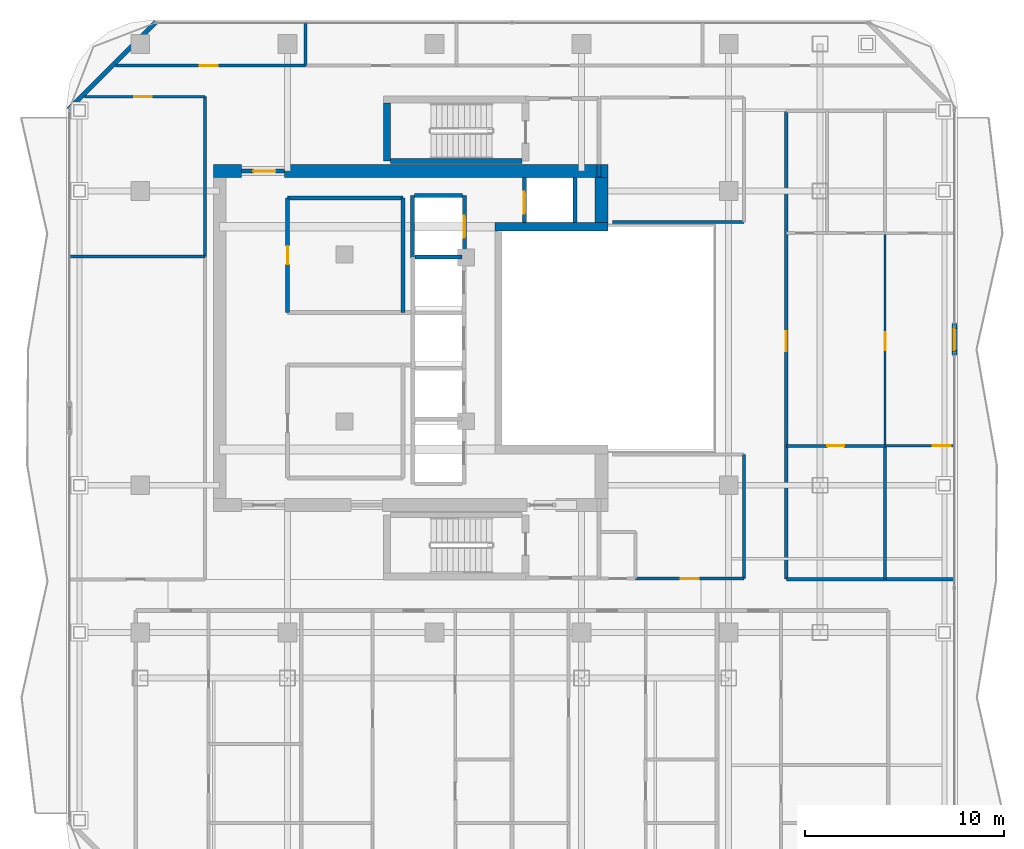
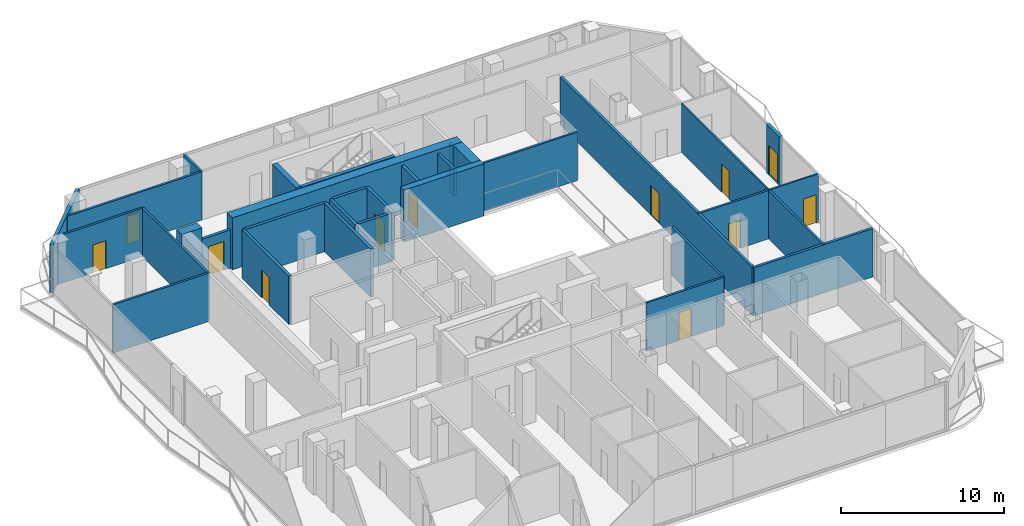
# One storey, part 22 of 26: 33 walls, 12 doors, 12 openings.
"""IFC4 building model written with IfcOpenShell, lengths in metres."""

from ifc_helpers import new_model, si_unit, direction, frame, frame_2d, origin, place, context, subcontext, project, spatial, rectangle, extrude, material, layer, layer_set, type_object, element, fill, save


model = new_model("IFC4")

# Units and contexts
model_context = context("Model", 3, precision=1e-05, world=origin(), true_north=direction((0.0, 1.0)))
body_context = subcontext(model_context, "Body", "Model", "MODEL_VIEW")
ifc_project = project(units=[si_unit("LENGTHUNIT", "METRE"), si_unit("AREAUNIT", "SQUARE_METRE"), si_unit("VOLUMEUNIT", "CUBIC_METRE"), si_unit("PLANEANGLEUNIT", "RADIAN"), si_unit("MASSUNIT", "GRAM", prefix="KILO")], contexts=[model_context])

# Site, building, storey
site_placement = place(None, origin())
site = spatial("IfcSite", under=ifc_project, at=site_placement, CompositionType="ELEMENT")
building_placement = place(site_placement, origin())
building = spatial("IfcBuilding", under=site, at=building_placement, Name="Khorvyn Point Tower", CompositionType="ELEMENT")
storey_placement = place(building_placement, frame((0.0, 0.0, 250.800048828125)))
storey = spatial("IfcBuildingStorey", under=building, at=storey_placement, Name="L61", CompositionType="ELEMENT", Elevation=250.800048828125)

# Wall, opening, door
ifc_material_1 = material(Name="Double acoustic gypsum on twin steel stud", Category="steel")
ifc_layer_1 = layer(ifc_material_1, 0.179931640625)
ifc_layer_set_1 = layer_set([ifc_layer_1], Name="Acoustic Double-Stud Apartment Demising Wall 180")
wall_type_1 = type_object("IfcWallType", Name="Acoustic Double-Stud Apartment Demising Wall 180", PredefinedType="PARTITIONING", material=ifc_layer_set_1)
wall_1_placement = place(storey_placement, frame((17.699951171875, -12.1201171875, 0.0), z_axis=(0.0, 0.0, 1.0), x_axis=(0.0, 1.0, 0.0)))
wall_1 = element("IfcWall", 1, at=wall_1_placement, inside=storey, type_object=wall_type_1, Name="Wall", PredefinedType="PARTITIONING", context=body_context, shape_type="SweptSolid", body=[
    extrude(rectangle(XDim=23.550048828125, YDim=0.179931640625, at=frame_2d((11.77490234375, 0.0))), origin(), (0.0, 0.0, 1.0), 3.619873046875),
])
opening_1_placement = place(wall_1_placement, frame((11.454345703125, 0.0, 0.0)))
opening_1 = element("IfcOpeningElement", 2, at=opening_1_placement, cuts=wall_1, Name="Opening ID-AP60", PredefinedType="OPENING", context=body_context, shape_type="SweptSolid", body=[
    extrude(rectangle(XDim=1.0, YDim=2.199951171875, at=frame_2d((0.5, 1.10009765625))), frame((0.0, 0.099853515625, 0.0), z_axis=(0.0, -1.0, 0.0), x_axis=(1.0, 0.0, 0.0)), (0.0, 0.0, 1.0), 0.199951171875),
])
ifc_material_2 = material(Name="Engineered hardwood fire-rated leaf", Category="wood")
door_type_1 = type_object("IfcDoorType", Name="Acoustic Solid-Core Timber Apartment Entrance Door 1000x2200", OperationType="NOTDEFINED", PredefinedType="DOOR", material=ifc_material_2)
door_1_placement = place(opening_1_placement, origin())
door_1 = element("IfcDoor", 3, at=door_1_placement, inside=storey, type_object=door_type_1, Name="Door", OperationType="SINGLE_SWING_RIGHT", OverallHeight=2.199951171875, OverallWidth=1.0, PredefinedType="DOOR", context=body_context, shape_type="SweptSolid", body=[
    extrude(rectangle(XDim=1.0, YDim=2.199951171875, at=frame_2d((0.5, 1.10009765625))), frame((0.0, 0.02490234375, 0.0), z_axis=(0.0, -1.0, 0.0), x_axis=(1.0, 0.0, 0.0)), (0.0, 0.0, 1.0), 0.050048828125),
])
fill(opening_1, door_1)

# Wall
wall_2_placement = place(storey_placement, frame((17.699951171875, -12.1201171875, 0.0), z_axis=(0.0, 0.0, 1.0), x_axis=(1.0, 0.0, 0.0)))
element("IfcWall", 4, at=wall_2_placement, inside=storey, type_object=wall_type_1, Name="Wall", PredefinedType="PARTITIONING", context=body_context, shape_type="SweptSolid", body=[
    extrude(rectangle(XDim=8.429931640625, YDim=0.179931640625, at=frame_2d((4.21484375, 0.0))), origin(), (0.0, 0.0, 1.0), 3.619873046875),
])

# Wall, opening, door
ifc_material_3 = material(Name="Pale anodised aluminium rainscreen on steel stud", Category="steel")
ifc_layer_2 = layer(ifc_material_3, 0.239990234375)
ifc_layer_set_2 = layer_set([ifc_layer_2], Name="Anodised Aluminium Insulated Corner Spandrel Wall 240")
wall_type_2 = type_object("IfcWallType", Name="Anodised Aluminium Insulated Corner Spandrel Wall 240", PredefinedType="SOLIDWALL", material=ifc_layer_set_2)
wall_3_placement = place(storey_placement, frame((26.14990234375, 0.722900390625, 0.0), z_axis=(0.0, 0.0, 1.0), x_axis=(0.0, -1.0, 0.0)))
wall_3 = element("IfcWall", 5, at=wall_3_placement, inside=storey, type_object=wall_type_2, Name="L61 East Outdoor Threshold Wall", PredefinedType="SOLIDWALL", context=body_context, shape_type="SweptSolid", body=[
    extrude(rectangle(XDim=1.579833984375, YDim=0.239990234375, at=frame_2d((0.7900390625, 0.0))), origin(), (0.0, 0.0, 1.0), 3.619873046875),
])
opening_2_placement = place(wall_3_placement, frame((0.239990234375, 0.0, 0.0)))
opening_2 = element("IfcOpeningElement", 6, at=opening_2_placement, cuts=wall_3, Name="Opening BD-1122", PredefinedType="OPENING", context=body_context, shape_type="SweptSolid", body=[
    extrude(rectangle(XDim=1.10009765625, YDim=2.199951171875, at=frame_2d((0.550048828125, 1.10009765625))), frame((0.0, 0.1298828125, 0.0), z_axis=(0.0, -1.0, 0.0), x_axis=(1.0, 0.0, 0.0)), (0.0, 0.0, 1.0), 0.260009765625),
])
ifc_material_4 = material(Name="Anodised aluminium 6063-T6 and laminated Low-E glass", Category="aluminium")
door_type_2 = type_object("IfcDoorType", Name="Glazed Balcony and Terrace Threshold Door 1100x2200", OperationType="NOTDEFINED", PredefinedType="DOOR", material=ifc_material_4)
door_2_placement = place(opening_2_placement, origin())
door_2 = element("IfcDoor", 7, at=door_2_placement, inside=storey, type_object=door_type_2, Name="L61 East Glazed Balcony Outdoor Door", OperationType="SINGLE_SWING_LEFT", OverallHeight=2.199951171875, OverallWidth=1.10009765625, PredefinedType="DOOR", context=body_context, shape_type="SweptSolid", body=[
    extrude(rectangle(XDim=1.10009765625, YDim=2.199951171875, at=frame_2d((0.550048828125, 1.10009765625))), frame((0.0, 0.02490234375, 0.0), z_axis=(0.0, -1.0, 0.0), x_axis=(1.0, 0.0, 0.0)), (0.0, 0.0, 1.0), 0.050048828125),
])
fill(opening_2, door_2)

# Walls
wall_4_placement = place(storey_placement, frame((-18.392333984375, 11.507568359375, 0.0), z_axis=(0.0, 0.0, 1.0), x_axis=(0.707106781187, 0.707106781187, 0.0)))
element("IfcWall", 8, at=wall_4_placement, inside=storey, type_object=wall_type_2, Name="L61 Rounded Corner Wall NW", PredefinedType="SOLIDWALL", context=body_context, shape_type="SweptSolid", body=[
    extrude(rectangle(XDim=6.200927734375, YDim=0.239990234375, at=frame_2d((3.1005859375, 0.0))), origin(), (0.0, 0.0, 1.0), 3.619873046875),
])
ifc_material_5 = material(Name="Concrete C40/50", Category="concrete")
ifc_layer_3 = layer(ifc_material_5, 0.449951171875)
ifc_layer_set_3 = layer_set([ifc_layer_3], Name="Concrete C40/50 Core Shear Wall 450")
wall_type_3 = type_object("IfcWallType", Name="Concrete C40/50 Core Shear Wall 450", PredefinedType="SHEAR", material=ifc_layer_set_3)
wall_5_placement = place(storey_placement, frame((3.044921875, 5.60009765625, 0.0), z_axis=(0.0, 0.0, 1.0), x_axis=(1.0, 0.0, 0.0)))
element("IfcWall", 9, at=wall_5_placement, inside=storey, type_object=wall_type_3, Name="Wall", PredefinedType="SHEAR", context=body_context, shape_type="SweptSolid", body=[
    extrude(rectangle(XDim=5.68017578125, YDim=0.449951171875, at=frame_2d((2.840087890625, 0.0))), origin(), (0.0, 0.0, 1.0), 3.89990234375),
])
ifc_layer_4 = layer(ifc_material_5, 0.64990234375)
ifc_layer_set_4 = layer_set([ifc_layer_4], Name="Concrete C40/50 Core Shear Wall 650")
wall_type_4 = type_object("IfcWallType", Name="Concrete C40/50 Core Shear Wall 650", PredefinedType="SHEAR", material=ifc_layer_set_4)
wall_6_placement = place(storey_placement, frame((-11.125, 8.39990234375, 0.0), z_axis=(0.0, 0.0, 1.0), x_axis=(1.0, 0.0, 0.0)))
element("IfcWall", 10, at=wall_6_placement, inside=storey, type_object=wall_type_4, Name="Wall", PredefinedType="SHEAR", context=body_context, shape_type="SweptSolid", body=[
    extrude(rectangle(XDim=1.425048828125, YDim=0.64990234375, at=frame_2d((0.71240234375, 0.0))), origin(), (0.0, 0.0, 1.0), 3.89990234375),
])
wall_7_placement = place(storey_placement, frame((-7.550048828125, 8.39990234375, 0.0), z_axis=(0.0, 0.0, 1.0), x_axis=(1.0, 0.0, 0.0)))
element("IfcWall", 11, at=wall_7_placement, inside=storey, type_object=wall_type_4, Name="Wall", PredefinedType="SHEAR", context=body_context, shape_type="SweptSolid", body=[
    extrude(rectangle(XDim=16.275146484375, YDim=0.64990234375, at=frame_2d((8.1376953125, 0.0))), origin(), (0.0, 0.0, 1.0), 3.89990234375),
])
wall_8_placement = place(storey_placement, frame((8.39990234375, 5.824951171875, 0.0), z_axis=(0.0, 0.0, 1.0), x_axis=(0.0, 1.0, 0.0)))
element("IfcWall", 12, at=wall_8_placement, inside=storey, type_object=wall_type_4, Name="Wall", PredefinedType="SHEAR", context=body_context, shape_type="SweptSolid", body=[
    extrude(rectangle(XDim=2.25, YDim=0.64990234375, at=frame_2d((1.125, 0.0))), origin(), (0.0, 0.0, 1.0), 3.89990234375),
])

# Wall, opening, door
ifc_layer_5 = layer(ifc_material_5, 0.199951171875)
ifc_layer_set_5 = layer_set([ifc_layer_5], Name="Concrete C40/50 Fire-Lobby Compartment Wall 200")
wall_type_5 = type_object("IfcWallType", Name="Concrete C40/50 Fire-Lobby Compartment Wall 200", PredefinedType="SOLIDWALL", material=ifc_layer_set_5)
wall_9_placement = place(storey_placement, frame((-9.699951171875, 8.39990234375, 0.0), z_axis=(0.0, 0.0, 1.0), x_axis=(1.0, 0.0, 0.0)))
wall_9 = element("IfcWall", 13, at=wall_9_placement, inside=storey, type_object=wall_type_5, Name="Wall", PredefinedType="SOLIDWALL", context=body_context, shape_type="SweptSolid", body=[
    extrude(rectangle(XDim=2.14990234375, YDim=0.199951171875, at=frame_2d((1.074951171875, 0.0))), origin(), (0.0, 0.0, 1.0), 2.85986328125),
])
opening_3_placement = place(wall_9_placement, frame((0.597900390625, 0.0, 0.0)))
opening_3 = element("IfcOpeningElement", 14, at=opening_3_placement, cuts=wall_9, Name="Opening ID-FL90", PredefinedType="OPENING", context=body_context, shape_type="SweptSolid", body=[
    extrude(rectangle(XDim=1.10009765625, YDim=2.14990234375, at=frame_2d((0.550048828125, 1.074951171875))), frame((0.0, 0.10986328125, 0.0), z_axis=(0.0, -1.0, 0.0), x_axis=(1.0, 0.0, 0.0)), (0.0, 0.0, 1.0), 0.219970703125),
])
ifc_material_6 = material(Name="Galvanised powder-coated steel", Category="steel")
door_type_3 = type_object("IfcDoorType", Name="Fire-Rated Steel Lobby and Stair Door 1100x2150", OperationType="NOTDEFINED", PredefinedType="DOOR", material=ifc_material_6)
door_3_placement = place(opening_3_placement, origin())
door_3 = element("IfcDoor", 15, at=door_3_placement, inside=storey, type_object=door_type_3, Name="Door", OperationType="SINGLE_SWING_RIGHT", OverallHeight=2.14990234375, OverallWidth=1.10009765625, PredefinedType="DOOR", context=body_context, shape_type="SweptSolid", body=[
    extrude(rectangle(XDim=1.10009765625, YDim=2.14990234375, at=frame_2d((0.550048828125, 1.074951171875))), frame((0.0, 0.02490234375, 0.0), z_axis=(0.0, -1.0, 0.0), x_axis=(1.0, 0.0, 0.0)), (0.0, 0.0, 1.0), 0.050048828125),
])
fill(opening_3, door_3)

wall_10_placement = place(storey_placement, frame((-7.3798828125, 1.300048828125, 0.0), z_axis=(0.0, 0.0, 1.0), x_axis=(0.0, 1.0, 0.0)))
wall_10 = element("IfcWall", 16, at=wall_10_placement, inside=storey, type_object=wall_type_5, Name="Wall", PredefinedType="SOLIDWALL", context=body_context, shape_type="SweptSolid", body=[
    extrude(rectangle(XDim=5.739990234375, YDim=0.199951171875, at=frame_2d((2.8701171875, 0.0))), origin(), (0.0, 0.0, 1.0), 3.619873046875),
])
opening_4_placement = place(wall_10_placement, frame((2.409912109375, 0.0, 0.0)))
opening_4 = element("IfcOpeningElement", 17, at=opening_4_placement, cuts=wall_10, Name="Opening ID-RS60", PredefinedType="OPENING", context=body_context, shape_type="SweptSolid", body=[
    extrude(rectangle(XDim=0.919921875, YDim=2.10009765625, at=frame_2d((0.4599609375, 1.050048828125))), frame((0.0, 0.10986328125, 0.0), z_axis=(0.0, -1.0, 0.0), x_axis=(1.0, 0.0, 0.0)), (0.0, 0.0, 1.0), 0.219970703125),
])
door_type_4 = type_object("IfcDoorType", Name="Fire-Rated Riser and Store Steel Door 920x2100", OperationType="NOTDEFINED", PredefinedType="DOOR", material=ifc_material_6)
door_4_placement = place(opening_4_placement, origin())
door_4 = element("IfcDoor", 18, at=door_4_placement, inside=storey, type_object=door_type_4, Name="Door", OperationType="SINGLE_SWING_RIGHT", OverallHeight=2.10009765625, OverallWidth=0.919921875, PredefinedType="DOOR", context=body_context, shape_type="SweptSolid", body=[
    extrude(rectangle(XDim=0.919921875, YDim=2.10009765625, at=frame_2d((0.4599609375, 1.050048828125))), frame((0.0, 0.02490234375, 0.0), z_axis=(0.0, -1.0, 0.0), x_axis=(1.0, 0.0, 0.0)), (0.0, 0.0, 1.0), 0.050048828125),
])
fill(opening_4, door_4)

# Walls
wall_11_placement = place(storey_placement, frame((-1.580078125, 1.300048828125, 0.0), z_axis=(0.0, 0.0, 1.0), x_axis=(0.0, 1.0, 0.0)))
element("IfcWall", 19, at=wall_11_placement, inside=storey, type_object=wall_type_5, Name="Wall", PredefinedType="SOLIDWALL", context=body_context, shape_type="SweptSolid", body=[
    extrude(rectangle(XDim=5.739990234375, YDim=0.199951171875, at=frame_2d((2.8701171875, 0.0))), origin(), (0.0, 0.0, 1.0), 3.619873046875),
])
wall_12_placement = place(storey_placement, frame((-7.3798828125, 7.0400390625, 0.0), z_axis=(0.0, 0.0, 1.0), x_axis=(1.0, 0.0, 0.0)))
element("IfcWall", 20, at=wall_12_placement, inside=storey, type_object=wall_type_5, Name="Wall", PredefinedType="SOLIDWALL", context=body_context, shape_type="SweptSolid", body=[
    extrude(rectangle(XDim=5.7998046875, YDim=0.199951171875, at=frame_2d((2.89990234375, 0.0))), origin(), (0.0, 0.0, 1.0), 3.619873046875),
])
wall_13_placement = place(storey_placement, frame((8.280029296875, 8.10009765625, 0.0), z_axis=(0.0, 0.0, 1.0), x_axis=(0.0, 1.0, 0.0)))
element("IfcWall", 21, at=wall_13_placement, inside=storey, type_object=wall_type_5, Name="Wall", PredefinedType="SOLIDWALL", context=body_context, shape_type="SweptSolid", body=[
    extrude(rectangle(XDim=0.625, YDim=0.199951171875, at=frame_2d((0.3125, 0.0))), origin(), (0.0, 0.0, 1.0), 3.619873046875),
])
ifc_layer_6 = layer(ifc_material_5, 0.25)
ifc_layer_set_6 = layer_set([ifc_layer_6], Name="Concrete C40/50 Stair Inner Cheek Structural Wall 250")
wall_type_6 = type_object("IfcWallType", Name="Concrete C40/50 Stair Inner Cheek Structural Wall 250", PredefinedType="SHEAR", material=ifc_layer_set_6)
wall_14_placement = place(storey_placement, frame((-2.199951171875, 8.89990234375, 0.0), z_axis=(0.0, 0.0, 1.0), x_axis=(1.0, 0.0, 0.0)))
element("IfcWall", 22, at=wall_14_placement, inside=storey, type_object=wall_type_6, Name="Wall", PredefinedType="SHEAR", context=body_context, shape_type="SweptSolid", body=[
    extrude(rectangle(XDim=6.599853515625, YDim=0.25, at=frame_2d((3.2998046875, 0.0))), origin(), (0.0, 0.0, 1.0), 3.89990234375),
])
ifc_layer_7 = layer(ifc_material_5, 0.35009765625)
ifc_layer_set_7 = layer_set([ifc_layer_7], Name="Concrete C40/50 Stair Shaft Structural Wall 350")
wall_type_7 = type_object("IfcWallType", Name="Concrete C40/50 Stair Shaft Structural Wall 350", PredefinedType="SHEAR", material=ifc_layer_set_7)
wall_15_placement = place(storey_placement, frame((-2.3798828125, 8.89990234375, 0.0), z_axis=(0.0, 0.0, 1.0), x_axis=(0.0, 1.0, 0.0)))
element("IfcWall", 23, at=wall_15_placement, inside=storey, type_object=wall_type_7, Name="L61 ST-02 West Shaft Wall", PredefinedType="SHEAR", context=body_context, shape_type="SweptSolid", body=[
    extrude(rectangle(XDim=2.925048828125, YDim=0.35009765625, at=frame_2d((1.46240234375, 0.0))), origin(), (0.0, 0.0, 1.0), 3.89990234375),
])
ifc_layer_8 = layer(ifc_material_5, 0.199951171875)
ifc_layer_set_8 = layer_set([ifc_layer_8], Name="Concrete C40/50 Structural Hoistway and Stair Shaft Wall 200")
wall_type_8 = type_object("IfcWallType", Name="Concrete C40/50 Structural Hoistway and Stair Shaft Wall 200", PredefinedType="SHEAR", material=ifc_layer_set_8)
wall_16_placement = place(storey_placement, frame((-0.97509765625, 4.074951171875, 0.0), z_axis=(0.0, 0.0, 1.0), x_axis=(1.0, 0.0, 0.0)))
element("IfcWall", 24, at=wall_16_placement, inside=storey, type_object=wall_type_8, Name="Wall", PredefinedType="SHEAR", context=body_context, shape_type="SweptSolid", body=[
    extrude(rectangle(XDim=2.35009765625, YDim=0.199951171875, at=frame_2d((1.175048828125, 0.0))), origin(), (0.0, 0.0, 1.0), 3.619873046875),
])
wall_17_placement = place(storey_placement, frame((-1.10009765625, 4.02490234375, 0.0), z_axis=(0.0, 0.0, 1.0), x_axis=(0.0, 1.0, 0.0)))
element("IfcWall", 25, at=wall_17_placement, inside=storey, type_object=wall_type_8, Name="Wall", PredefinedType="SHEAR", context=body_context, shape_type="SweptSolid", body=[
    extrude(rectangle(XDim=3.150146484375, YDim=0.199951171875, at=frame_2d((1.5751953125, 0.0))), origin(), (0.0, 0.0, 1.0), 3.619873046875),
])

# Wall, opening, door
wall_18_placement = place(storey_placement, frame((1.5, 4.02490234375, 0.0), z_axis=(0.0, 0.0, 1.0), x_axis=(0.0, 1.0, 0.0)))
wall_18 = element("IfcWall", 26, at=wall_18_placement, inside=storey, type_object=wall_type_8, Name="Wall", PredefinedType="SHEAR", context=body_context, shape_type="SweptSolid", body=[
    extrude(rectangle(XDim=3.150146484375, YDim=0.199951171875, at=frame_2d((1.5751953125, 0.0))), origin(), (0.0, 0.0, 1.0), 3.619873046875),
])
opening_5_placement = place(wall_18_placement, frame((1.02490234375, 0.0, 0.0)))
opening_5 = element("IfcOpeningElement", 27, at=opening_5_placement, cuts=wall_18, Name="Opening LD-1122", PredefinedType="OPENING", context=body_context, shape_type="SweptSolid", body=[
    extrude(rectangle(XDim=1.10009765625, YDim=2.199951171875, at=frame_2d((0.550048828125, 1.10009765625))), frame((0.0, 0.10986328125, 0.0), z_axis=(0.0, -1.0, 0.0), x_axis=(1.0, 0.0, 0.0)), (0.0, 0.0, 1.0), 0.219970703125),
])
ifc_material_7 = material(Name="Stainless steel 1.4301", Category="steel")
door_type_5 = type_object("IfcDoorType", Name="Stainless Steel Automatic Sliding Lift Landing Door 1100x2200", OperationType="SLIDING_TO_LEFT", PredefinedType="DOOR", material=ifc_material_7)
door_5_placement = place(opening_5_placement, origin())
door_5 = element("IfcDoor", 28, at=door_5_placement, inside=storey, type_object=door_type_5, Name="L61 SV-01 Sliding Lift Landing Door", OperationType="SLIDING_TO_LEFT", OverallHeight=2.199951171875, OverallWidth=1.10009765625, PredefinedType="DOOR", context=body_context, shape_type="SweptSolid", body=[
    extrude(rectangle(XDim=1.10009765625, YDim=2.199951171875, at=frame_2d((0.550048828125, 1.10009765625))), frame((0.0, 0.02490234375, 0.0), z_axis=(0.0, -1.0, 0.0), x_axis=(1.0, 0.0, 0.0)), (0.0, 0.0, 1.0), 0.050048828125),
])
fill(opening_5, door_5)

# Wall
wall_19_placement = place(storey_placement, frame((-1.0, 7.175048828125, 0.0), z_axis=(0.0, 0.0, 1.0), x_axis=(1.0, 0.0, 0.0)))
element("IfcWall", 29, at=wall_19_placement, inside=storey, type_object=wall_type_8, Name="Wall", PredefinedType="SHEAR", context=body_context, shape_type="SweptSolid", body=[
    extrude(rectangle(XDim=2.39990234375, YDim=0.199951171875, at=frame_2d((1.199951171875, 0.0))), origin(), (0.0, 0.0, 1.0), 3.619873046875),
])

# Wall, opening, door
wall_20_placement = place(storey_placement, frame((4.52490234375, 5.824951171875, 0.0), z_axis=(0.0, 0.0, 1.0), x_axis=(0.0, 1.0, 0.0)))
wall_20 = element("IfcWall", 30, at=wall_20_placement, inside=storey, type_object=wall_type_8, Name="Wall", PredefinedType="SHEAR", context=body_context, shape_type="SweptSolid", body=[
    extrude(rectangle(XDim=2.25, YDim=0.199951171875, at=frame_2d((1.125, 0.0))), origin(), (0.0, 0.0, 1.0), 3.619873046875),
])
opening_6_placement = place(wall_20_placement, frame((0.425048828125, 0.0, 0.0)))
opening_6 = element("IfcOpeningElement", 31, at=opening_6_placement, cuts=wall_20, Name="Opening LD-1122", PredefinedType="OPENING", context=body_context, shape_type="SweptSolid", body=[
    extrude(rectangle(XDim=1.10009765625, YDim=2.199951171875, at=frame_2d((0.550048828125, 1.10009765625))), frame((0.0, 0.10986328125, 0.0), z_axis=(0.0, -1.0, 0.0), x_axis=(1.0, 0.0, 0.0)), (0.0, 0.0, 1.0), 0.219970703125),
])
door_6_placement = place(opening_6_placement, origin())
door_6 = element("IfcDoor", 32, at=door_6_placement, inside=storey, type_object=door_type_5, Name="L61 FF-02 Sliding Lift Landing Door", OperationType="SLIDING_TO_LEFT", OverallHeight=2.199951171875, OverallWidth=1.10009765625, PredefinedType="DOOR", context=body_context, shape_type="SweptSolid", body=[
    extrude(rectangle(XDim=1.10009765625, YDim=2.199951171875, at=frame_2d((0.550048828125, 1.10009765625))), frame((0.0, 0.02490234375, 0.0), z_axis=(0.0, -1.0, 0.0), x_axis=(1.0, 0.0, 0.0)), (0.0, 0.0, 1.0), 0.050048828125),
])
fill(opening_6, door_6)

# Wall
wall_21_placement = place(storey_placement, frame((7.074951171875, 5.824951171875, 0.0), z_axis=(0.0, 0.0, 1.0), x_axis=(0.0, 1.0, 0.0)))
element("IfcWall", 33, at=wall_21_placement, inside=storey, type_object=wall_type_8, Name="Wall", PredefinedType="SHEAR", context=body_context, shape_type="SweptSolid", body=[
    extrude(rectangle(XDim=2.25, YDim=0.199951171875, at=frame_2d((1.125, 0.0))), origin(), (0.0, 0.0, 1.0), 3.619873046875),
])

# Wall, opening, door
ifc_material_8 = material(Name="Gypsum plasterboard on steel stud", Category="steel")
ifc_layer_9 = layer(ifc_material_8, 0.1201171875)
ifc_layer_set_9 = layer_set([ifc_layer_9], Name="Gypsum Acoustic Stud Room Partition Wall 120")
wall_type_9 = type_object("IfcWallType", Name="Gypsum Acoustic Stud Room Partition Wall 120", PredefinedType="PARTITIONING", material=ifc_layer_set_9)
wall_22_placement = place(storey_placement, frame((22.6630859375, -5.416015625, 0.0), z_axis=(0.0, 0.0, 1.0), x_axis=(0.0, 1.0, 0.0)))
wall_22 = element("IfcWall", 34, at=wall_22_placement, inside=storey, type_object=wall_type_9, Name="Wall", PredefinedType="PARTITIONING", context=body_context, shape_type="SweptSolid", body=[
    extrude(rectangle(XDim=10.697998046875, YDim=0.1201171875, at=frame_2d((5.34912109375, 0.0))), origin(), (0.0, 0.0, 1.0), 3.619873046875),
])
opening_7_placement = place(wall_22_placement, frame((4.8095703125, 0.0, 0.0)))
opening_7 = element("IfcOpeningElement", 35, at=opening_7_placement, cuts=wall_22, Name="Opening ID-RM90", PredefinedType="OPENING", context=body_context, shape_type="SweptSolid", body=[
    extrude(rectangle(XDim=0.89990234375, YDim=2.10009765625, at=frame_2d((0.449951171875, 1.050048828125))), frame((0.0, 0.070068359375, 0.0), z_axis=(0.0, -1.0, 0.0), x_axis=(1.0, 0.0, 0.0)), (0.0, 0.0, 1.0), 0.14013671875),
])
ifc_material_9 = material(Name="Engineered oak veneer timber", Category="wood")
door_type_6 = type_object("IfcDoorType", Name="Flush Engineered Timber Room Door 900x2100", OperationType="NOTDEFINED", PredefinedType="DOOR", material=ifc_material_9)
door_7_placement = place(opening_7_placement, origin())
door_7 = element("IfcDoor", 36, at=door_7_placement, inside=storey, type_object=door_type_6, Name="Door", OperationType="SINGLE_SWING_LEFT", OverallHeight=2.10009765625, OverallWidth=0.89990234375, PredefinedType="DOOR", context=body_context, shape_type="SweptSolid", body=[
    extrude(rectangle(XDim=0.89990234375, YDim=2.10009765625, at=frame_2d((0.449951171875, 1.050048828125))), frame((0.0, 0.02490234375, 0.0), z_axis=(0.0, -1.0, 0.0), x_axis=(1.0, 0.0, 0.0)), (0.0, 0.0, 1.0), 0.050048828125),
])
fill(opening_7, door_7)

wall_23_placement = place(storey_placement, frame((22.6630859375, -5.416015625, 0.0), z_axis=(0.0, 0.0, 1.0), x_axis=(1.0, 0.0, 0.0)))
wall_23 = element("IfcWall", 37, at=wall_23_placement, inside=storey, type_object=wall_type_9, Name="Wall", PredefinedType="PARTITIONING", context=body_context, shape_type="SweptSolid", body=[
    extrude(rectangle(XDim=3.466796875, YDim=0.1201171875, at=frame_2d((1.7333984375, 0.0))), origin(), (0.0, 0.0, 1.0), 3.619873046875),
])
opening_8_placement = place(wall_23_placement, frame((2.406982421875, 0.0, 0.0)))
opening_8 = element("IfcOpeningElement", 38, at=opening_8_placement, cuts=wall_23, Name="Opening ID-RM90", PredefinedType="OPENING", context=body_context, shape_type="SweptSolid", body=[
    extrude(rectangle(XDim=0.89990234375, YDim=2.10009765625, at=frame_2d((0.449951171875, 1.050048828125))), frame((0.0, 0.070068359375, 0.0), z_axis=(0.0, -1.0, 0.0), x_axis=(1.0, 0.0, 0.0)), (0.0, 0.0, 1.0), 0.14013671875),
])
door_8_placement = place(opening_8_placement, origin())
door_8 = element("IfcDoor", 39, at=door_8_placement, inside=storey, type_object=door_type_6, Name="Door", OperationType="SINGLE_SWING_LEFT", OverallHeight=2.10009765625, OverallWidth=0.89990234375, PredefinedType="DOOR", context=body_context, shape_type="SweptSolid", body=[
    extrude(rectangle(XDim=0.89990234375, YDim=2.10009765625, at=frame_2d((0.449951171875, 1.050048828125))), frame((0.0, 0.02490234375, 0.0), z_axis=(0.0, -1.0, 0.0), x_axis=(1.0, 0.0, 0.0)), (0.0, 0.0, 1.0), 0.050048828125),
])
fill(opening_8, door_8)

ifc_material_10 = material(Name="Moisture-resistant gypsum and cement board", Category="gypsum")
ifc_layer_10 = layer(ifc_material_10, 0.14990234375)
ifc_layer_set_10 = layer_set([ifc_layer_10], Name="Moisture-Resistant Wet-Room Partition Wall 150")
wall_type_10 = type_object("IfcWallType", Name="Moisture-Resistant Wet-Room Partition Wall 150", PredefinedType="PARTITIONING", material=ifc_layer_set_10)
wall_24_placement = place(storey_placement, frame((10.10009765625, -12.10009765625, 0.0), z_axis=(0.0, 0.0, 1.0), x_axis=(1.0, 0.0, 0.0)))
wall_24 = element("IfcWall", 40, at=wall_24_placement, inside=storey, type_object=wall_type_10, Name="Wall", PredefinedType="PARTITIONING", context=body_context, shape_type="SweptSolid", body=[
    extrude(rectangle(XDim=5.47998046875, YDim=0.14990234375, at=frame_2d((2.739990234375, 0.0))), origin(), (0.0, 0.0, 1.0), 3.619873046875),
])
opening_9_placement = place(wall_24_placement, frame((2.2900390625, 0.0, 0.0)))
opening_9 = element("IfcOpeningElement", 41, at=opening_9_placement, cuts=wall_24, Name="Opening ID-RM90", PredefinedType="OPENING", context=body_context, shape_type="SweptSolid", body=[
    extrude(rectangle(XDim=0.89990234375, YDim=2.10009765625, at=frame_2d((0.449951171875, 1.050048828125))), frame((0.0, 0.0849609375, 0.0), z_axis=(0.0, -1.0, 0.0), x_axis=(1.0, 0.0, 0.0)), (0.0, 0.0, 1.0), 0.169921875),
])
door_9_placement = place(opening_9_placement, origin())
door_9 = element("IfcDoor", 42, at=door_9_placement, inside=storey, type_object=door_type_6, Name="Door", OperationType="SINGLE_SWING_RIGHT", OverallHeight=2.10009765625, OverallWidth=0.89990234375, PredefinedType="DOOR", context=body_context, shape_type="SweptSolid", body=[
    extrude(rectangle(XDim=0.89990234375, YDim=2.10009765625, at=frame_2d((0.449951171875, 1.050048828125))), frame((0.0, 0.02490234375, 0.0), z_axis=(0.0, -1.0, 0.0), x_axis=(1.0, 0.0, 0.0)), (0.0, 0.0, 1.0), 0.050048828125),
])
fill(opening_9, door_9)

wall_25_placement = place(storey_placement, frame((-16.030029296875, 13.699951171875, 0.0), z_axis=(0.0, 0.0, 1.0), x_axis=(1.0, 0.0, 0.0)))
wall_25 = element("IfcWall", 43, at=wall_25_placement, inside=storey, type_object=wall_type_10, Name="Wall", PredefinedType="PARTITIONING", context=body_context, shape_type="SweptSolid", body=[
    extrude(rectangle(XDim=9.546142578125, YDim=0.14990234375, at=frame_2d((4.77294921875, 0.0))), origin(), (0.0, 0.0, 1.0), 3.619873046875),
])
opening_10_placement = place(wall_25_placement, frame((4.234375, 0.0, 0.0)))
opening_10 = element("IfcOpeningElement", 44, at=opening_10_placement, cuts=wall_25, Name="Opening ID-RM90", PredefinedType="OPENING", context=body_context, shape_type="SweptSolid", body=[
    extrude(rectangle(XDim=0.89990234375, YDim=2.10009765625, at=frame_2d((0.449951171875, 1.050048828125))), frame((0.0, 0.0849609375, 0.0), z_axis=(0.0, -1.0, 0.0), x_axis=(1.0, 0.0, 0.0)), (0.0, 0.0, 1.0), 0.169921875),
])
door_10_placement = place(opening_10_placement, origin())
door_10 = element("IfcDoor", 45, at=door_10_placement, inside=storey, type_object=door_type_6, Name="Door", OperationType="SINGLE_SWING_RIGHT", OverallHeight=2.10009765625, OverallWidth=0.89990234375, PredefinedType="DOOR", context=body_context, shape_type="SweptSolid", body=[
    extrude(rectangle(XDim=0.89990234375, YDim=2.10009765625, at=frame_2d((0.449951171875, 1.050048828125))), frame((0.0, 0.02490234375, 0.0), z_axis=(0.0, -1.0, 0.0), x_axis=(1.0, 0.0, 0.0)), (0.0, 0.0, 1.0), 0.050048828125),
])
fill(opening_10, door_10)

wall_26_placement = place(storey_placement, frame((-17.590087890625, 12.139892578125, 0.0), z_axis=(0.0, 0.0, 1.0), x_axis=(1.0, 0.0, 0.0)))
wall_26 = element("IfcWall", 46, at=wall_26_placement, inside=storey, type_object=wall_type_10, Name="Wall", PredefinedType="PARTITIONING", context=body_context, shape_type="SweptSolid", body=[
    extrude(rectangle(XDim=6.0400390625, YDim=0.14990234375, at=frame_2d((3.02001953125, 0.0))), origin(), (0.0, 0.0, 1.0), 3.619873046875),
])
opening_11_placement = place(wall_26_placement, frame((2.480712890625, 0.0, 0.0)))
opening_11 = element("IfcOpeningElement", 47, at=opening_11_placement, cuts=wall_26, Name="Opening ID-RM90", PredefinedType="OPENING", context=body_context, shape_type="SweptSolid", body=[
    extrude(rectangle(XDim=0.89990234375, YDim=2.10009765625, at=frame_2d((0.449951171875, 1.050048828125))), frame((0.0, 0.0849609375, 0.0), z_axis=(0.0, -1.0, 0.0), x_axis=(1.0, 0.0, 0.0)), (0.0, 0.0, 1.0), 0.169921875),
])
door_11_placement = place(opening_11_placement, origin())
door_11 = element("IfcDoor", 48, at=door_11_placement, inside=storey, type_object=door_type_6, Name="Door", OperationType="SINGLE_SWING_LEFT", OverallHeight=2.10009765625, OverallWidth=0.89990234375, PredefinedType="DOOR", context=body_context, shape_type="SweptSolid", body=[
    extrude(rectangle(XDim=0.89990234375, YDim=2.10009765625, at=frame_2d((0.449951171875, 1.050048828125))), frame((0.0, 0.02490234375, 0.0), z_axis=(0.0, -1.0, 0.0), x_axis=(1.0, 0.0, 0.0)), (0.0, 0.0, 1.0), 0.050048828125),
])
fill(opening_11, door_11)

wall_27_placement = place(storey_placement, frame((17.699951171875, -5.416015625, 0.0), z_axis=(0.0, 0.0, 1.0), x_axis=(1.0, 0.0, 0.0)))
wall_27 = element("IfcWall", 49, at=wall_27_placement, inside=storey, type_object=wall_type_10, Name="Wall", PredefinedType="PARTITIONING", context=body_context, shape_type="SweptSolid", body=[
    extrude(rectangle(XDim=4.963134765625, YDim=0.14990234375, at=frame_2d((2.4814453125, 0.0))), origin(), (0.0, 0.0, 1.0), 3.619873046875),
])
opening_12_placement = place(wall_27_placement, frame((2.056396484375, 0.0, 0.0)))
opening_12 = element("IfcOpeningElement", 50, at=opening_12_placement, cuts=wall_27, Name="Opening ID-WC85", PredefinedType="OPENING", context=body_context, shape_type="SweptSolid", body=[
    extrude(rectangle(XDim=0.85009765625, YDim=2.10009765625, at=frame_2d((0.425048828125, 1.050048828125))), frame((0.0, 0.0849609375, 0.0), z_axis=(0.0, -1.0, 0.0), x_axis=(1.0, 0.0, 0.0)), (0.0, 0.0, 1.0), 0.169921875),
])
ifc_material_11 = material(Name="High-pressure laminate on moisture-resistant core", Category="wood")
door_type_7 = type_object("IfcDoorType", Name="Moisture-Resistant Accessible Washroom Door 850x2100", OperationType="NOTDEFINED", PredefinedType="DOOR", material=ifc_material_11)
door_12_placement = place(opening_12_placement, origin())
door_12 = element("IfcDoor", 51, at=door_12_placement, inside=storey, type_object=door_type_7, Name="Door", OperationType="SINGLE_SWING_RIGHT", OverallHeight=2.10009765625, OverallWidth=0.85009765625, PredefinedType="DOOR", context=body_context, shape_type="SweptSolid", body=[
    extrude(rectangle(XDim=0.85009765625, YDim=2.10009765625, at=frame_2d((0.425048828125, 1.050048828125))), frame((0.0, 0.02490234375, 0.0), z_axis=(0.0, -1.0, 0.0), x_axis=(1.0, 0.0, 0.0)), (0.0, 0.0, 1.0), 0.050048828125),
])
fill(opening_12, door_12)

# Walls
wall_28_placement = place(storey_placement, frame((15.580078125, -12.10009765625, 0.0), z_axis=(0.0, 0.0, 1.0), x_axis=(0.0, 1.0, 0.0)))
element("IfcWall", 52, at=wall_28_placement, inside=storey, type_object=wall_type_10, Name="Wall", PredefinedType="PARTITIONING", context=body_context, shape_type="SweptSolid", body=[
    extrude(rectangle(XDim=6.25, YDim=0.14990234375, at=frame_2d((3.125, 0.0))), origin(), (0.0, 0.0, 1.0), 3.619873046875),
])
wall_29_placement = place(storey_placement, frame((8.9599609375, 5.85009765625, 0.0), z_axis=(0.0, 0.0, 1.0), x_axis=(1.0, 0.0, 0.0)))
element("IfcWall", 53, at=wall_29_placement, inside=storey, type_object=wall_type_10, Name="Wall", PredefinedType="PARTITIONING", context=body_context, shape_type="SweptSolid", body=[
    extrude(rectangle(XDim=6.6201171875, YDim=0.14990234375, at=frame_2d((3.31005859375, 0.0))), origin(), (0.0, 0.0, 1.0), 3.619873046875),
])
wall_30_placement = place(storey_placement, frame((-6.48388671875, 13.699951171875, 0.0), z_axis=(0.0, 0.0, 1.0), x_axis=(0.0, 1.0, 0.0)))
element("IfcWall", 54, at=wall_30_placement, inside=storey, type_object=wall_type_10, Name="Wall", PredefinedType="PARTITIONING", context=body_context, shape_type="SweptSolid", body=[
    extrude(rectangle(XDim=2.130126953125, YDim=0.14990234375, at=frame_2d((1.06494140625, 0.0))), origin(), (0.0, 0.0, 1.0), 3.619873046875),
])
wall_31_placement = place(storey_placement, frame((-18.330078125, 4.10009765625, 0.0), z_axis=(0.0, 0.0, 1.0), x_axis=(1.0, 0.0, 0.0)))
element("IfcWall", 55, at=wall_31_placement, inside=storey, type_object=wall_type_10, Name="Wall", PredefinedType="PARTITIONING", context=body_context, shape_type="SweptSolid", body=[
    extrude(rectangle(XDim=6.780029296875, YDim=0.14990234375, at=frame_2d((3.39013671875, 0.0))), origin(), (0.0, 0.0, 1.0), 3.619873046875),
])
wall_32_placement = place(storey_placement, frame((-11.550048828125, 4.10009765625, 0.0), z_axis=(0.0, 0.0, 1.0), x_axis=(0.0, 1.0, 0.0)))
element("IfcWall", 56, at=wall_32_placement, inside=storey, type_object=wall_type_10, Name="Wall", PredefinedType="PARTITIONING", context=body_context, shape_type="SweptSolid", body=[
    extrude(rectangle(XDim=8.039794921875, YDim=0.14990234375, at=frame_2d((4.02001953125, 0.0))), origin(), (0.0, 0.0, 1.0), 3.619873046875),
])
wall_33_placement = place(storey_placement, frame((22.6630859375, -12.1201171875, 0.0), z_axis=(0.0, 0.0, 1.0), x_axis=(0.0, 1.0, 0.0)))
element("IfcWall", 57, at=wall_33_placement, inside=storey, type_object=wall_type_10, Name="Wall", PredefinedType="PARTITIONING", context=body_context, shape_type="SweptSolid", body=[
    extrude(rectangle(XDim=6.7041015625, YDim=0.14990234375, at=frame_2d((3.35205078125, 0.0))), origin(), (0.0, 0.0, 1.0), 3.619873046875),
])

save(model, "model.ifc")
